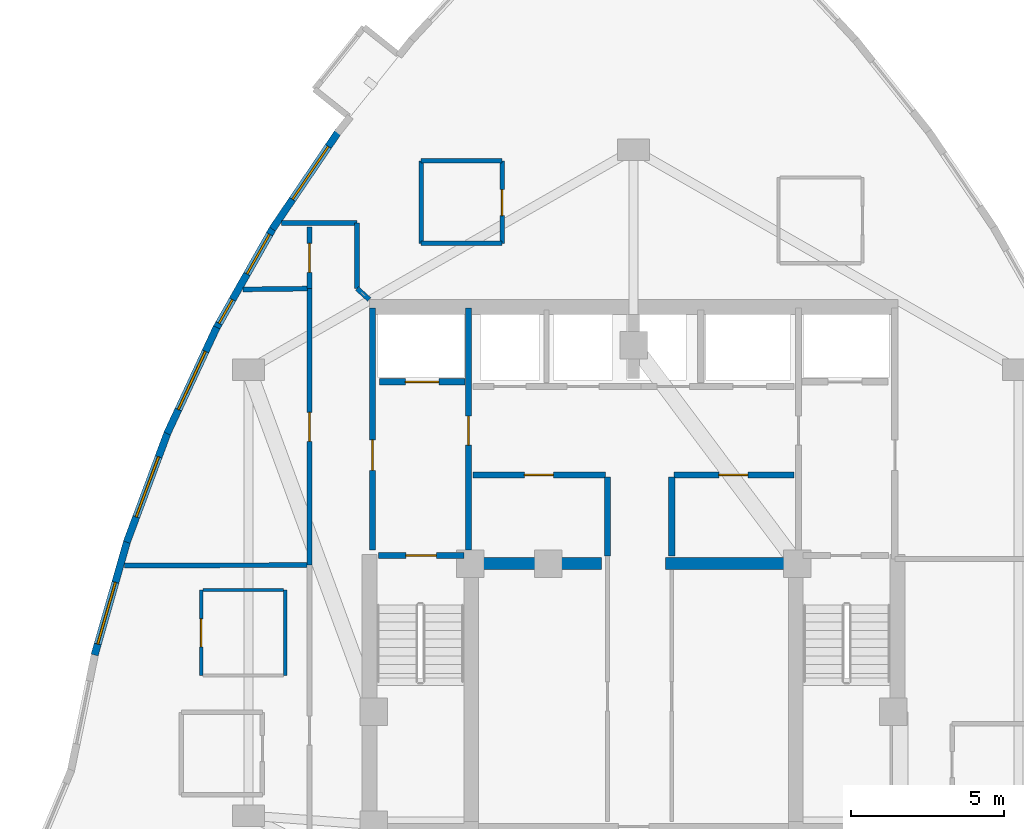
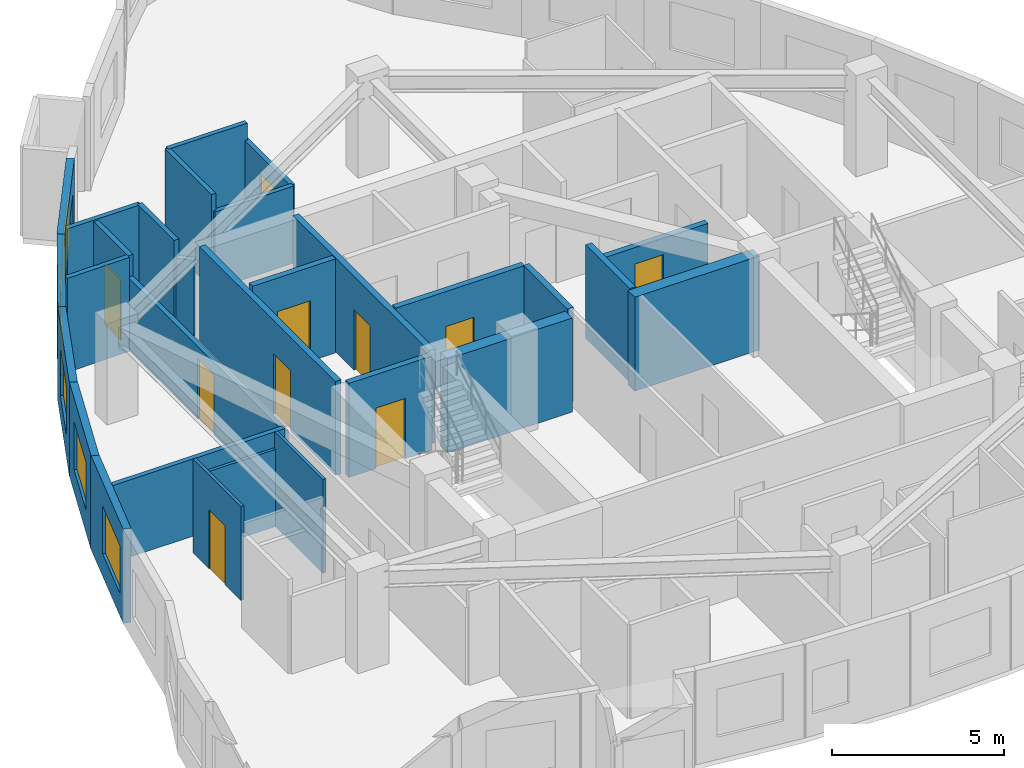
# One storey, part 6 of 10: 29 walls, 10 doors, 6 windows, 16 openings.
"""IFC4 building model written with IfcOpenShell, lengths in metres."""

import ifcopenshell
import ifcopenshell.guid

model = None  # the IFC model being written
_history = None  # IfcOwnerHistory: only IFC2X3 demands one
_inside = {}  # id of a spatial element -> (the spatial element, [elements in it])
_under = {}  # id of a project, library or spatial element -> (it, [spatial elements below it])
_declared = {}  # id of a project -> (the project, [libraries it declares])
_typed = {}  # id of a type object -> (the type object, [elements of that type])
_made_of = {}  # id of a material, layer set ... -> (it, [elements and type objects made of it])


def new_model(schema):
    """Start an empty IFC model of exactly this schema.

    Asked for "IFC4X3", IfcOpenShell would pick the latest addendum, in which some entities
    have other attributes; the version numbers below select the first issue.
    IFC2X3 requires an IfcOwnerHistory on every rooted entity: one is made here for all.
    """
    global model, _history
    if schema == "IFC4X3":
        model = ifcopenshell.file(schema_version=(4, 3, 0, 0))
    else:
        model = ifcopenshell.file(schema=schema)
    _inside.clear()
    _under.clear()
    _declared.clear()
    _typed.clear()
    _made_of.clear()
    _history = None
    if model.schema == "IFC2X3":
        org = make("IfcOrganization", Name="unknown")
        user = make(
            "IfcPersonAndOrganization",
            ThePerson=make("IfcPerson", FamilyName="unknown"),
            TheOrganization=org,
        )
        app = make(
            "IfcApplication",
            ApplicationDeveloper=org,
            Version="unknown",
            ApplicationFullName="unknown",
            ApplicationIdentifier="unknown",
        )
        _history = make(
            "IfcOwnerHistory",
            OwningUser=user,
            OwningApplication=app,
            ChangeAction="ADDED",
            CreationDate=0,
        )
    return model


def make(cls, **values):
    """One entity of the class cls with the attributes given. An attribute that is None is left unset."""
    return model.create_entity(
        cls, **{name: value for name, value in values.items() if value is not None}
    )


def rooted(cls, **values):
    """An entity with a GlobalId (a new one), such as an element, a storey or a relation."""
    return make(cls, GlobalId=ifcopenshell.guid.new(), OwnerHistory=_history, **values)


def si_unit(unit_type, name, prefix=None):
    """IfcSIUnit, for example si_unit("LENGTHUNIT", "METRE", prefix="MILLI")."""
    return make("IfcSIUnit", UnitType=unit_type, Prefix=prefix, Name=name)


def assignment(units):
    """IfcUnitAssignment: the units of a project."""
    return None if units is None else make("IfcUnitAssignment", Units=units)


def point(xyz):
    """IfcCartesianPoint."""
    return None if xyz is None else make("IfcCartesianPoint", Coordinates=xyz)


def direction(xyz):
    """IfcDirection."""
    return None if xyz is None else make("IfcDirection", DirectionRatios=xyz)


def frame(location, z_axis=None, x_axis=None):
    """IfcAxis2Placement3D, a coordinate frame: its origin and axes. An axis left out is left unset."""
    return make(
        "IfcAxis2Placement3D",
        Location=point(location),
        Axis=direction(z_axis),
        RefDirection=direction(x_axis),
    )


def frame_2d(location, x_axis=None):
    """IfcAxis2Placement2D, a coordinate frame in the plane: its origin and x axis."""
    return make(
        "IfcAxis2Placement2D", Location=point(location), RefDirection=direction(x_axis)
    )


def origin():
    """The frame at (0, 0, 0) with its axes left unset."""
    return frame((0.0, 0.0, 0.0))


def place(relative_to, where):
    """IfcLocalPlacement: puts the frame where relative to a parent placement (None: the world)."""
    return make(
        "IfcLocalPlacement", PlacementRelTo=relative_to, RelativePlacement=where
    )


def context(
    kind, dimensions, precision=None, world=None, true_north=None, identifier=None
):
    """IfcGeometricRepresentationContext, for example the 3D "Model" context."""
    return make(
        "IfcGeometricRepresentationContext",
        ContextIdentifier=identifier,
        ContextType=kind,
        CoordinateSpaceDimension=dimensions,
        Precision=precision,
        WorldCoordinateSystem=world,
        TrueNorth=true_north,
    )


def subcontext(parent, identifier, kind, view, scale=None):
    """IfcGeometricRepresentationSubContext, for example "Body" below "Model"."""
    return make(
        "IfcGeometricRepresentationSubContext",
        ContextIdentifier=identifier,
        ContextType=kind,
        ParentContext=parent,
        TargetScale=scale,
        TargetView=view,
    )


def project(units=None, contexts=None):
    """IfcProject with its units and contexts."""
    return rooted(
        "IfcProject",
        Name="project",
        RepresentationContexts=contexts,
        UnitsInContext=assignment(units),
    )


def spatial(cls, under=None, at=None, **own):
    """A site, building, storey or space (cls), placed at a placement, below another one or the project."""
    s = rooted(cls, ObjectPlacement=at, **own)
    if under is not None:
        _under.setdefault(under.id(), (under, []))[1].append(s)
    return s


def profile(cls, at=None, kind="AREA", **sizes):
    """A parametric profile (cls). Its sizes go by their IFC names, for example OverallWidth=200.0."""
    return make(cls, ProfileType=kind, Position=at, **sizes)


def rectangle(**sizes):
    """IfcRectangleProfileDef."""
    return profile("IfcRectangleProfileDef", **sizes)


def extrude(swept, where, along, depth):
    """IfcExtrudedAreaSolid: the profile swept, set in the frame where, extruded along a direction by depth."""
    return make(
        "IfcExtrudedAreaSolid",
        SweptArea=swept,
        Position=where,
        ExtrudedDirection=direction(along),
        Depth=depth,
    )


def shape(context_of_items, identifier, shape_type, items):
    """IfcShapeRepresentation: the items that make up one representation, for example the "Body"."""
    return make(
        "IfcShapeRepresentation",
        ContextOfItems=context_of_items,
        RepresentationIdentifier=identifier,
        RepresentationType=shape_type,
        Items=items,
    )


def material(Name=None, Category=None):
    """IfcMaterial."""
    return make("IfcMaterial", Name=Name, Category=Category)


def layer(
    of_material, thickness, ventilated=None, Name=None, Category=None, Priority=None
):
    """IfcMaterialLayer: one layer of a wall or slab, of a material (None: an air gap)."""
    return make(
        "IfcMaterialLayer",
        Material=of_material,
        LayerThickness=thickness,
        IsVentilated=ventilated,
        Name=Name,
        Category=Category,
        Priority=Priority,
    )


def layer_set(layers, Name=None):
    """IfcMaterialLayerSet."""
    return make("IfcMaterialLayerSet", MaterialLayers=layers, LayerSetName=Name)


def made_of(thing, what):
    """Note that an element or type object is made of a material, layer set ...; save() writes the relation."""
    if what is not None:
        _made_of.setdefault(what.id(), (what, []))[1].append(thing)
    return thing


def type_object(cls, material=None, **own):
    """A type object (cls), such as IfcWallType, which elements share."""
    return made_of(rooted(cls, **own), material)


def element(
    cls,
    number,
    at=None,
    inside=None,
    cuts=None,
    type_object=None,
    material=None,
    context=None,
    identifier="Body",
    shape_type=None,
    held_by="IfcProductDefinitionShape",
    body=None,
    shapes=None,
    **own,
):
    """One element of the class cls, such as IfcWall. Its Tag is "e" and its number.

    at: its placement. inside: the storey or other place that contains it. cuts: it is an
    opening in that element (IfcRelVoidsElement). A single representation is given by context,
    identifier, shape_type and body (its items); several are given by shapes. held_by: the class
    of the entity that holds the representations. save() writes the other relations.
    """
    e = rooted(cls, Tag="e%d" % number, ObjectPlacement=at, **own)
    if body is not None:
        shapes = [shape(context, identifier, shape_type, body)]
    if shapes is not None:
        e.Representation = make(held_by, Representations=shapes)
    if inside is not None:
        _inside.setdefault(inside.id(), (inside, []))[1].append(e)
    if cuts is not None:
        rooted(
            "IfcRelVoidsElement", RelatingBuildingElement=cuts, RelatedOpeningElement=e
        )
    if type_object is not None:
        _typed.setdefault(type_object.id(), (type_object, []))[1].append(e)
    return made_of(e, material)


def fill(opening, filler):
    """IfcRelFillsElement: the door or window that sits in an opening."""
    return rooted(
        "IfcRelFillsElement",
        RelatingOpeningElement=opening,
        RelatedBuildingElement=filler,
    )


def aggregate(whole, parts):
    """IfcRelAggregates: a whole, such as a stair, and the parts it consists of."""
    return rooted("IfcRelAggregates", RelatingObject=whole, RelatedObjects=parts)


def save(model, path):
    """Write the relations noted so far, then the file.

    IfcRelAggregates (storeys below a building ...), IfcRelContainedInSpatialStructure (elements
    in a storey), IfcRelDefinesByType, IfcRelAssociatesMaterial and IfcRelDeclares: one each for
    every whole, place, type object, material and project.
    """
    for whole, parts in _under.values():
        aggregate(whole, parts)
    for where, things in _inside.values():
        rooted(
            "IfcRelContainedInSpatialStructure",
            RelatedElements=things,
            RelatingStructure=where,
        )
    for kind, things in _typed.values():
        rooted("IfcRelDefinesByType", RelatedObjects=things, RelatingType=kind)
    for what, things in _made_of.values():
        rooted("IfcRelAssociatesMaterial", RelatedObjects=things, RelatingMaterial=what)
    for by, libraries in _declared.values():
        rooted("IfcRelDeclares", RelatingContext=by, RelatedDefinitions=libraries)
    model.write(path)


model = new_model("IFC4")

# Units and contexts
model_context = context("Model", 3, precision=1e-05, world=origin(), true_north=direction((0.0, 1.0)))
body_context = subcontext(model_context, "Body", "Model", "MODEL_VIEW")
ifc_project = project(units=[si_unit("LENGTHUNIT", "METRE"), si_unit("AREAUNIT", "SQUARE_METRE"), si_unit("VOLUMEUNIT", "CUBIC_METRE"), si_unit("PLANEANGLEUNIT", "RADIAN"), si_unit("MASSUNIT", "GRAM", prefix="KILO")], contexts=[model_context])

# Site, building, storey
site_placement = place(None, origin())
site = spatial("IfcSite", under=ifc_project, at=site_placement, CompositionType="ELEMENT")
building_placement = place(site_placement, origin())
building = spatial("IfcBuilding", under=site, at=building_placement, Name="Miruveldt Soraemaru", CompositionType="ELEMENT")
storey_placement = place(building_placement, frame((0.0, 0.0, 230.39990234375)))
storey = spatial("IfcBuildingStorey", under=building, at=storey_placement, Name="L63", CompositionType="ELEMENT", Elevation=230.39990234375)

# Walls
ifc_material_1 = material(Name="Concrete C70/85 (70 MPa)", Category="concrete")
ifc_layer_1 = layer(ifc_material_1, 0.5, Name="Concrete C70/85 (70 MPa)", Category="concrete")
ifc_layer_set_1 = layer_set([ifc_layer_1], Name="Concrete C70/85 (70 MPa)")
wall_type_1 = type_object("IfcWallType", Name="WALL-BW-500", PredefinedType="SHEAR", material=ifc_layer_set_1)
for number, where, z_axis, x_axis, name in (
    (1, (38.75, 44.050048828125, 0.0), (0.0, 0.0, 1.0), (1.0, 0.0, 0.0), "L63 Core Buttress Shear Wall BW"),
    (2, (45.050048828125, 44.050048828125, 0.0), (0.0, 0.0, 1.0), (1.0, 0.0, 0.0), "L63 Core Buttress Shear Wall BE"),
):
    element("IfcWall", number, at=place(storey_placement, frame(where, z_axis=z_axis, x_axis=x_axis)), inside=storey, type_object=wall_type_1, Name=name, PredefinedType="SHEAR", context=body_context, shape_type="SweptSolid", body=[
        extrude(rectangle(XDim=4.199951171875, YDim=0.39990234375, at=frame_2d((2.10009765625, 0.0))), origin(), (0.0, 0.0, 1.0), 3.34521484375),
    ])

# Wall, opening, window
ifc_material_2 = material(Name="Precast concrete C45/55 (45 MPa)", Category="concrete")
ifc_layer_2 = layer(ifc_material_2, 0.239990234375, Name="Precast concrete C45/55 (45 MPa)", Category="concrete")
ifc_layer_set_2 = layer_set([ifc_layer_2], Name="Precast concrete C45/55 (45 MPa)")
wall_type_2 = type_object("IfcWallType", Name="WALL-EXT-PC240", PredefinedType="SOLIDWALL", material=ifc_layer_set_2)
wall_1_placement = place(storey_placement, frame((34.34521484375, 58.197021484375, 0.0), z_axis=(0.0, 0.0, 1.0), x_axis=(-0.560856532865, -0.827913008439, 0.0)))
wall_1 = element("IfcWall", 3, at=wall_1_placement, inside=storey, type_object=wall_type_2, Name="L63 Precast Concrete Facade Wall 9", PredefinedType="SOLIDWALL", context=body_context, shape_type="SweptSolid", body=[
    extrude(rectangle(XDim=3.861572265625, YDim=0.239990234375, at=frame_2d((1.9306640625, 0.0))), origin(), (0.0, 0.0, 1.0), 3.34521484375),
])
opening_1_placement = place(wall_1_placement, frame((0.593994140625, 0.0, 0.800048828125)))
opening_1 = element("IfcOpeningElement", 4, at=opening_1_placement, cuts=wall_1, Name="Opening WN-1", PredefinedType="OPENING", context=body_context, shape_type="SweptSolid", body=[
    extrude(rectangle(XDim=2.10009765625, YDim=1.699951171875, at=frame_2d((1.050048828125, 0.85009765625))), frame((0.0, 0.1298828125, 0.0), z_axis=(0.0, -1.0, 0.0), x_axis=(1.0, 0.0, 0.0)), (0.0, 0.0, 1.0), 0.260009765625),
])
ifc_material_3 = material(Name="Triple low-e insulated glazing", Category="glass")
window_type_1 = type_object("IfcWindowType", Name="WIN-PUNCH-2100x1700", PartitioningType="SINGLE_PANEL", PredefinedType="WINDOW", material=ifc_material_3)
window_1_placement = place(opening_1_placement, origin())
window_1 = element("IfcWindow", 5, at=window_1_placement, inside=storey, type_object=window_type_1, Name="L63 Punched Triple-Glazed Window 09.1", OverallHeight=1.699951171875, OverallWidth=2.10009765625, PartitioningType="SINGLE_PANEL", PredefinedType="WINDOW", context=body_context, shape_type="SweptSolid", body=[
    extrude(rectangle(XDim=2.10009765625, YDim=1.699951171875, at=frame_2d((1.050048828125, 0.85009765625))), frame((0.0, 0.030029296875, 0.0), z_axis=(0.0, -1.0, 0.0), x_axis=(1.0, 0.0, 0.0)), (0.0, 0.0, 1.0), 0.06005859375),
])
fill(opening_1, window_1)

# Wall, openings, windows
wall_2_placement = place(storey_placement, frame((32.21630859375, 55.059326171875, 0.0), z_axis=(0.0, 0.0, 1.0), x_axis=(-0.493375309214, -0.869816534826, 0.0)))
wall_2 = element("IfcWall", 6, at=wall_2_placement, inside=storey, type_object=wall_type_2, Name="L63 Precast Concrete Facade Wall 10", PredefinedType="SOLIDWALL", context=body_context, shape_type="SweptSolid", body=[
    extrude(rectangle(XDim=3.83740234375, YDim=0.239990234375, at=frame_2d((1.918701171875, 0.0))), origin(), (0.0, 0.0, 1.0), 3.34521484375),
])
opening_2_placement = place(wall_2_placement, frame((0.261962890625, 0.0, 0.800048828125)))
opening_2 = element("IfcOpeningElement", 7, at=opening_2_placement, cuts=wall_2, Name="Opening WN-3", PredefinedType="OPENING", context=body_context, shape_type="SweptSolid", body=[
    extrude(rectangle(XDim=1.5, YDim=1.60009765625, at=frame_2d((0.75, 0.800048828125))), frame((0.0, 0.1298828125, 0.0), z_axis=(0.0, -1.0, 0.0), x_axis=(1.0, 0.0, 0.0)), (0.0, 0.0, 1.0), 0.260009765625),
])
opening_3_placement = place(wall_2_placement, frame((2.719970703125, 0.0, 0.780029296875)))
opening_3 = element("IfcOpeningElement", 8, at=opening_3_placement, cuts=wall_2, Name="Opening WN-7", PredefinedType="OPENING", context=body_context, shape_type="SweptSolid", body=[
    extrude(rectangle(XDim=0.89990234375, YDim=1.5, at=frame_2d((0.449951171875, 0.75))), frame((0.0, 0.1298828125, 0.0), z_axis=(0.0, -1.0, 0.0), x_axis=(1.0, 0.0, 0.0)), (0.0, 0.0, 1.0), 0.260009765625),
])
window_type_2 = type_object("IfcWindowType", Name="WIN-PUNCH-1500x1600", PartitioningType="SINGLE_PANEL", PredefinedType="WINDOW", material=ifc_material_3)
window_2_placement = place(opening_2_placement, origin())
window_2 = element("IfcWindow", 9, at=window_2_placement, inside=storey, type_object=window_type_2, Name="L63 Punched Triple-Glazed Window 10.1", OverallHeight=1.60009765625, OverallWidth=1.5, PartitioningType="SINGLE_PANEL", PredefinedType="WINDOW", context=body_context, shape_type="SweptSolid", body=[
    extrude(rectangle(XDim=1.5, YDim=1.60009765625, at=frame_2d((0.75, 0.800048828125))), frame((0.0, 0.030029296875, 0.0), z_axis=(0.0, -1.0, 0.0), x_axis=(1.0, 0.0, 0.0)), (0.0, 0.0, 1.0), 0.06005859375),
])
fill(opening_2, window_2)
window_type_3 = type_object("IfcWindowType", Name="WIN-PUNCH-900x1500", PartitioningType="SINGLE_PANEL", PredefinedType="WINDOW", material=ifc_material_3)
window_3_placement = place(opening_3_placement, origin())
window_3 = element("IfcWindow", 10, at=window_3_placement, inside=storey, type_object=window_type_3, Name="L63 Punched Triple-Glazed Window 10.2", OverallHeight=1.5, OverallWidth=0.89990234375, PartitioningType="SINGLE_PANEL", PredefinedType="WINDOW", context=body_context, shape_type="SweptSolid", body=[
    extrude(rectangle(XDim=0.89990234375, YDim=1.5, at=frame_2d((0.449951171875, 0.75))), frame((0.0, 0.030029296875, 0.0), z_axis=(0.0, -1.0, 0.0), x_axis=(1.0, 0.0, 0.0)), (0.0, 0.0, 1.0), 0.06005859375),
])
fill(opening_3, window_3)

# Wall, opening, window
wall_3_placement = place(storey_placement, frame((30.355224609375, 51.78369140625, 0.0), z_axis=(0.0, 0.0, 1.0), x_axis=(-0.422307229898, -0.906452758601, 0.0)))
wall_3 = element("IfcWall", 11, at=wall_3_placement, inside=storey, type_object=wall_type_2, Name="L63 Precast Concrete Facade Wall 11", PredefinedType="SOLIDWALL", context=body_context, shape_type="SweptSolid", body=[
    extrude(rectangle(XDim=3.83740234375, YDim=0.239990234375, at=frame_2d((1.918701171875, 0.0))), origin(), (0.0, 0.0, 1.0), 3.34521484375),
])
opening_4_placement = place(wall_3_placement, frame((0.868896484375, 0.0, 0.800048828125)))
opening_4 = element("IfcOpeningElement", 12, at=opening_4_placement, cuts=wall_3, Name="Opening WN-1", PredefinedType="OPENING", context=body_context, shape_type="SweptSolid", body=[
    extrude(rectangle(XDim=2.10009765625, YDim=1.699951171875, at=frame_2d((1.050048828125, 0.85009765625))), frame((0.0, 0.1298828125, 0.0), z_axis=(0.0, -1.0, 0.0), x_axis=(1.0, 0.0, 0.0)), (0.0, 0.0, 1.0), 0.260009765625),
])
window_4_placement = place(opening_4_placement, origin())
window_4 = element("IfcWindow", 13, at=window_4_placement, inside=storey, type_object=window_type_1, Name="L63 Punched Triple-Glazed Window 11.1", OverallHeight=1.699951171875, OverallWidth=2.10009765625, PartitioningType="SINGLE_PANEL", PredefinedType="WINDOW", context=body_context, shape_type="SweptSolid", body=[
    extrude(rectangle(XDim=2.10009765625, YDim=1.699951171875, at=frame_2d((1.050048828125, 0.85009765625))), frame((0.0, 0.030029296875, 0.0), z_axis=(0.0, -1.0, 0.0), x_axis=(1.0, 0.0, 0.0)), (0.0, 0.0, 1.0), 0.06005859375),
])
fill(opening_4, window_4)

wall_4_placement = place(storey_placement, frame((28.76171875, 48.36962890625, 0.0), z_axis=(0.0, 0.0, 1.0), x_axis=(-0.34907854063, -0.937093470509, 0.0)))
wall_4 = element("IfcWall", 14, at=wall_4_placement, inside=storey, type_object=wall_type_2, Name="L63 Precast Concrete Facade Wall 12", PredefinedType="SOLIDWALL", context=body_context, shape_type="SweptSolid", body=[
    extrude(rectangle(XDim=3.861328125, YDim=0.239990234375, at=frame_2d((1.9306640625, 0.0))), origin(), (0.0, 0.0, 1.0), 3.34521484375),
])
opening_5_placement = place(wall_4_placement, frame((0.881103515625, 0.0, 0.800048828125)))
opening_5 = element("IfcOpeningElement", 15, at=opening_5_placement, cuts=wall_4, Name="Opening WN-1", PredefinedType="OPENING", context=body_context, shape_type="SweptSolid", body=[
    extrude(rectangle(XDim=2.10009765625, YDim=1.699951171875, at=frame_2d((1.050048828125, 0.85009765625))), frame((0.0, 0.1298828125, 0.0), z_axis=(0.0, -1.0, 0.0), x_axis=(1.0, 0.0, 0.0)), (0.0, 0.0, 1.0), 0.260009765625),
])
window_5_placement = place(opening_5_placement, origin())
window_5 = element("IfcWindow", 16, at=window_5_placement, inside=storey, type_object=window_type_1, Name="L63 Punched Triple-Glazed Window 12.1", OverallHeight=1.699951171875, OverallWidth=2.10009765625, PartitioningType="SINGLE_PANEL", PredefinedType="WINDOW", context=body_context, shape_type="SweptSolid", body=[
    extrude(rectangle(XDim=2.10009765625, YDim=1.699951171875, at=frame_2d((1.050048828125, 0.85009765625))), frame((0.0, 0.030029296875, 0.0), z_axis=(0.0, -1.0, 0.0), x_axis=(1.0, 0.0, 0.0)), (0.0, 0.0, 1.0), 0.06005859375),
])
fill(opening_5, window_5)

wall_5_placement = place(storey_placement, frame((27.435791015625, 44.817626953125, 0.0), z_axis=(0.0, 0.0, 1.0), x_axis=(-0.274976818497, -0.961450856409, 0.0)))
wall_5 = element("IfcWall", 17, at=wall_5_placement, inside=storey, type_object=wall_type_2, Name="L63 Precast Concrete Facade Wall 13", PredefinedType="SOLIDWALL", context=body_context, shape_type="SweptSolid", body=[
    extrude(rectangle(XDim=3.9091796875, YDim=0.239990234375, at=frame_2d((1.95458984375, 0.0))), origin(), (0.0, 0.0, 1.0), 3.34521484375),
])
opening_6_placement = place(wall_5_placement, frame((1.43701171875, 0.0, 0.800048828125)))
opening_6 = element("IfcOpeningElement", 18, at=opening_6_placement, cuts=wall_5, Name="Opening WN-1", PredefinedType="OPENING", context=body_context, shape_type="SweptSolid", body=[
    extrude(rectangle(XDim=2.10009765625, YDim=1.699951171875, at=frame_2d((1.050048828125, 0.85009765625))), frame((0.0, 0.1298828125, 0.0), z_axis=(0.0, -1.0, 0.0), x_axis=(1.0, 0.0, 0.0)), (0.0, 0.0, 1.0), 0.260009765625),
])
window_6_placement = place(opening_6_placement, origin())
window_6 = element("IfcWindow", 19, at=window_6_placement, inside=storey, type_object=window_type_1, Name="L63 Punched Triple-Glazed Window 13.1", OverallHeight=1.699951171875, OverallWidth=2.10009765625, PartitioningType="SINGLE_PANEL", PredefinedType="WINDOW", context=body_context, shape_type="SweptSolid", body=[
    extrude(rectangle(XDim=2.10009765625, YDim=1.699951171875, at=frame_2d((1.050048828125, 0.85009765625))), frame((0.0, 0.030029296875, 0.0), z_axis=(0.0, -1.0, 0.0), x_axis=(1.0, 0.0, 0.0)), (0.0, 0.0, 1.0), 0.06005859375),
])
fill(opening_6, window_6)

# Wall, opening, door
ifc_material_4 = material(Name="Gypsum plasterboard lining", Category="gypsum")
ifc_layer_3 = layer(ifc_material_4, 0.10009765625, Name="Gypsum plasterboard lining", Category="gypsum")
ifc_layer_set_3 = layer_set([ifc_layer_3], Name="Gypsum plasterboard lining")
wall_type_3 = type_object("IfcWallType", Name="WALL-INT-P100", PredefinedType="PARTITIONING", material=ifc_layer_set_3)
wall_6_placement = place(storey_placement, frame((29.85009765625, 43.179931640625, 0.0), z_axis=(0.0, 0.0, 1.0), x_axis=(0.0, -1.0, 0.0)))
wall_6 = element("IfcWall", 20, at=wall_6_placement, inside=storey, type_object=wall_type_3, Name="L63 Partition Wall 30", PredefinedType="PARTITIONING", context=body_context, shape_type="SweptSolid", body=[
    extrude(rectangle(XDim=2.800048828125, YDim=0.10009765625, at=frame_2d((1.39990234375, 0.0))), origin(), (0.0, 0.0, 1.0), 3.34521484375),
])
opening_7_placement = place(wall_6_placement, frame((0.93994140625, 0.0, 0.0)))
opening_7 = element("IfcOpeningElement", 21, at=opening_7_placement, cuts=wall_6, Name="Opening D3A", PredefinedType="OPENING", context=body_context, shape_type="SweptSolid", body=[
    extrude(rectangle(XDim=0.919921875, YDim=2.10009765625, at=frame_2d((0.4599609375, 1.050048828125))), frame((0.0, 0.06005859375, 0.0), z_axis=(0.0, -1.0, 0.0), x_axis=(1.0, 0.0, 0.0)), (0.0, 0.0, 1.0), 0.1201171875),
])
ifc_material_5 = material(Name="Anodised aluminium EN AW-6063 T6", Category="aluminium")
door_type_1 = type_object("IfcDoorType", Name="DOOR-INT-920", OperationType="NOTDEFINED", PredefinedType="DOOR", material=ifc_material_5)
door_1_placement = place(opening_7_placement, origin())
door_1 = element("IfcDoor", 22, at=door_1_placement, inside=storey, type_object=door_type_1, Name="L63 Unit 6303 KIT Door", OperationType="SINGLE_SWING_LEFT", OverallHeight=2.10009765625, OverallWidth=0.919921875, PredefinedType="DOOR", context=body_context, shape_type="SweptSolid", body=[
    extrude(rectangle(XDim=0.919921875, YDim=2.10009765625, at=frame_2d((0.4599609375, 1.050048828125))), frame((0.0, 0.02490234375, 0.0), z_axis=(0.0, -1.0, 0.0), x_axis=(1.0, 0.0, 0.0)), (0.0, 0.0, 1.0), 0.050048828125),
])
fill(opening_7, door_1)

# Walls
wall_7_placement = place(storey_placement, frame((32.60009765625, 40.3798828125, 0.0), z_axis=(0.0, 0.0, 1.0), x_axis=(0.0, 1.0, 0.0)))
element("IfcWall", 23, at=wall_7_placement, inside=storey, type_object=wall_type_3, Name="L63 Partition Wall 28", PredefinedType="PARTITIONING", context=body_context, shape_type="SweptSolid", body=[
    extrude(rectangle(XDim=2.800048828125, YDim=0.10009765625, at=frame_2d((1.39990234375, 0.0))), origin(), (0.0, 0.0, 1.0), 3.34521484375),
])
wall_8_placement = place(storey_placement, frame((32.550048828125, 43.179931640625, 0.0), z_axis=(0.0, 0.0, 1.0), x_axis=(-1.0, 0.0, 0.0)))
element("IfcWall", 24, at=wall_8_placement, inside=storey, type_object=wall_type_3, Name="L63 Partition Wall 29", PredefinedType="PARTITIONING", context=body_context, shape_type="SweptSolid", body=[
    extrude(rectangle(XDim=2.650146484375, YDim=0.10009765625, at=frame_2d((1.3251953125, 0.0))), origin(), (0.0, 0.0, 1.0), 2.7451171875),
])

# Wall, opening, door
ifc_layer_4 = layer(ifc_material_4, 0.14990234375, Name="Gypsum plasterboard lining", Category="gypsum")
ifc_layer_set_4 = layer_set([ifc_layer_4], Name="Gypsum plasterboard lining")
wall_type_4 = type_object("IfcWallType", Name="WALL-INT-PLUMB", PredefinedType="PLUMBINGWALL", material=ifc_layer_set_4)
wall_9_placement = place(storey_placement, frame((39.696044921875, 54.530029296875, 0.0), z_axis=(0.0, 0.0, 1.0), x_axis=(0.0, 1.0, 0.0)))
wall_9 = element("IfcWall", 25, at=wall_9_placement, inside=storey, type_object=wall_type_4, Name="L63 Partition Wall 13", PredefinedType="PLUMBINGWALL", context=body_context, shape_type="SweptSolid", body=[
    extrude(rectangle(XDim=2.699951171875, YDim=0.14990234375, at=frame_2d((1.35009765625, 0.0))), origin(), (0.0, 0.0, 1.0), 2.7451171875),
])
opening_8_placement = place(wall_9_placement, frame((0.909912109375, 0.0, 0.0)))
opening_8 = element("IfcOpeningElement", 26, at=opening_8_placement, cuts=wall_9, Name="Opening FD3", PredefinedType="OPENING", context=body_context, shape_type="SweptSolid", body=[
    extrude(rectangle(XDim=0.85009765625, YDim=2.10009765625, at=frame_2d((0.425048828125, 1.050048828125))), frame((0.0, 0.0849609375, 0.0), z_axis=(0.0, -1.0, 0.0), x_axis=(1.0, 0.0, 0.0)), (0.0, 0.0, 1.0), 0.169921875),
])
door_type_2 = type_object("IfcDoorType", Name="DOOR-FD3-850", OperationType="NOTDEFINED", PredefinedType="DOOR", material=ifc_material_5)
door_2_placement = place(opening_8_placement, origin())
door_2 = element("IfcDoor", 27, at=door_2_placement, inside=storey, type_object=door_type_2, Name="L63 Unit CL01 BTH Door", OperationType="SINGLE_SWING_RIGHT", OverallHeight=2.10009765625, OverallWidth=0.85009765625, PredefinedType="DOOR", context=body_context, shape_type="SweptSolid", body=[
    extrude(rectangle(XDim=0.85009765625, YDim=2.10009765625, at=frame_2d((0.425048828125, 1.050048828125))), frame((0.0, 0.02490234375, 0.0), z_axis=(0.0, -1.0, 0.0), x_axis=(1.0, 0.0, 0.0)), (0.0, 0.0, 1.0), 0.050048828125),
])
fill(opening_8, door_2)

# Walls
wall_10_placement = place(storey_placement, frame((37.0458984375, 57.22998046875, 0.0), z_axis=(0.0, 0.0, 1.0), x_axis=(0.0, -1.0, 0.0)))
element("IfcWall", 28, at=wall_10_placement, inside=storey, type_object=wall_type_4, Name="L63 Partition Wall 15", PredefinedType="PLUMBINGWALL", context=body_context, shape_type="SweptSolid", body=[
    extrude(rectangle(XDim=2.699951171875, YDim=0.14990234375, at=frame_2d((1.35009765625, 0.0))), origin(), (0.0, 0.0, 1.0), 3.34521484375),
])
wall_11_placement = place(storey_placement, frame((39.696044921875, 57.22998046875, 0.0), z_axis=(0.0, 0.0, 1.0), x_axis=(-1.0, 0.0, 0.0)))
element("IfcWall", 29, at=wall_11_placement, inside=storey, type_object=wall_type_4, Name="L63 Partition Wall 14", PredefinedType="PLUMBINGWALL", context=body_context, shape_type="SweptSolid", body=[
    extrude(rectangle(XDim=2.650146484375, YDim=0.14990234375, at=frame_2d((1.3251953125, 0.0))), origin(), (0.0, 0.0, 1.0), 3.34521484375),
])
wall_12_placement = place(storey_placement, frame((37.0458984375, 54.530029296875, 0.0), z_axis=(0.0, 0.0, 1.0), x_axis=(1.0, 0.0, 0.0)))
element("IfcWall", 30, at=wall_12_placement, inside=storey, type_object=wall_type_4, Name="L63 Partition Wall 16", PredefinedType="PLUMBINGWALL", context=body_context, shape_type="SweptSolid", body=[
    extrude(rectangle(XDim=2.650146484375, YDim=0.14990234375, at=frame_2d((1.3251953125, 0.0))), origin(), (0.0, 0.0, 1.0), 2.7451171875),
])

# Wall, opening, door
ifc_material_6 = material(Name="Concrete C40/50 (40 MPa)", Category="concrete")
ifc_layer_5 = layer(ifc_material_6, 0.159912109375, Name="Concrete C40/50 (40 MPa)", Category="concrete")
ifc_layer_set_5 = layer_set([ifc_layer_5], Name="Concrete C40/50 (40 MPa)")
wall_type_5 = type_object("IfcWallType", Name="WALL-INT-RC160", PredefinedType="SOLIDWALL", material=ifc_layer_set_5)
wall_13_placement = place(storey_placement, frame((33.39990234375, 53.050048828125, 0.0), z_axis=(0.0, 0.0, 1.0), x_axis=(0.0, -1.0, 0.0)))
wall_13 = element("IfcWall", 31, at=wall_13_placement, inside=storey, type_object=wall_type_5, Name="L63 Partition Wall 4", PredefinedType="SOLIDWALL", context=body_context, shape_type="SweptSolid", body=[
    extrude(rectangle(XDim=9.050048828125, YDim=0.159912109375, at=frame_2d((4.52490234375, 0.0))), origin(), (0.0, 0.0, 1.0), 2.5830078125),
])
opening_9_placement = place(wall_13_placement, frame((4.050048828125, 0.0, 0.0)))
opening_9 = element("IfcOpeningElement", 32, at=opening_9_placement, cuts=wall_13, Name="Opening FD2", PredefinedType="OPENING", context=body_context, shape_type="SweptSolid", body=[
    extrude(rectangle(XDim=0.949951171875, YDim=2.14990234375, at=frame_2d((0.47509765625, 1.074951171875))), frame((0.0, 0.08984375, 0.0), z_axis=(0.0, -1.0, 0.0), x_axis=(1.0, 0.0, 0.0)), (0.0, 0.0, 1.0), 0.179931640625),
])
door_type_3 = type_object("IfcDoorType", Name="DOOR-FD2-950", OperationType="NOTDEFINED", PredefinedType="DOOR", material=ifc_material_5)
door_3_placement = place(opening_9_placement, origin())
door_3 = element("IfcDoor", 33, at=door_3_placement, inside=storey, type_object=door_type_3, Name="L63 Unit CL02 Entrance Fire Door", OperationType="SINGLE_SWING_RIGHT", OverallHeight=2.14990234375, OverallWidth=0.949951171875, PredefinedType="DOOR", context=body_context, shape_type="SweptSolid", body=[
    extrude(rectangle(XDim=0.949951171875, YDim=2.14990234375, at=frame_2d((0.47509765625, 1.074951171875))), frame((0.0, 0.02490234375, 0.0), z_axis=(0.0, -1.0, 0.0), x_axis=(1.0, 0.0, 0.0)), (0.0, 0.0, 1.0), 0.050048828125),
])
fill(opening_9, door_3)

wall_14_placement = place(storey_placement, frame((33.39990234375, 55.06005859375, 0.0), z_axis=(0.0, 0.0, 1.0), x_axis=(0.0, -1.0, 0.0)))
wall_14 = element("IfcWall", 34, at=wall_14_placement, inside=storey, type_object=wall_type_5, Name="L63 Partition Wall 3", PredefinedType="SOLIDWALL", context=body_context, shape_type="SweptSolid", body=[
    extrude(rectangle(XDim=2.007080078125, YDim=0.159912109375, at=frame_2d((1.00341796875, 0.0))), origin(), (0.0, 0.0, 1.0), 3.34521484375),
])
opening_10_placement = place(wall_14_placement, frame((0.529052734375, 0.0, 0.0)))
opening_10 = element("IfcOpeningElement", 35, at=opening_10_placement, cuts=wall_14, Name="Opening FD2", PredefinedType="OPENING", context=body_context, shape_type="SweptSolid", body=[
    extrude(rectangle(XDim=0.949951171875, YDim=2.14990234375, at=frame_2d((0.47509765625, 1.074951171875))), frame((0.0, 0.08984375, 0.0), z_axis=(0.0, -1.0, 0.0), x_axis=(1.0, 0.0, 0.0)), (0.0, 0.0, 1.0), 0.179931640625),
])
door_4_placement = place(opening_10_placement, origin())
door_4 = element("IfcDoor", 36, at=door_4_placement, inside=storey, type_object=door_type_3, Name="L63 Unit CL01 Entrance Fire Door", OperationType="SINGLE_SWING_LEFT", OverallHeight=2.14990234375, OverallWidth=0.949951171875, PredefinedType="DOOR", context=body_context, shape_type="SweptSolid", body=[
    extrude(rectangle(XDim=0.949951171875, YDim=2.14990234375, at=frame_2d((0.47509765625, 1.074951171875))), frame((0.0, 0.02490234375, 0.0), z_axis=(0.0, -1.0, 0.0), x_axis=(1.0, 0.0, 0.0)), (0.0, 0.0, 1.0), 0.050048828125),
])
fill(opening_10, door_4)

# Walls
wall_15_placement = place(storey_placement, frame((27.337890625, 43.986083984375, 0.0), z_axis=(0.0, 0.0, 1.0), x_axis=(0.999997290543, 0.002327854511, 0.0)))
element("IfcWall", 37, at=wall_15_placement, inside=storey, type_object=wall_type_5, Name="L63 Partition Wall 23", PredefinedType="SOLIDWALL", context=body_context, shape_type="SweptSolid", body=[
    extrude(rectangle(XDim=5.97802734375, YDim=0.159912109375, at=frame_2d((2.989013671875, 0.0))), origin(), (0.0, 0.0, 1.0), 2.7451171875),
])
wall_16_placement = place(storey_placement, frame((34.949951171875, 55.199951171875, 0.0), z_axis=(0.0, 0.0, 1.0), x_axis=(-1.0, 0.0, 0.0)))
element("IfcWall", 38, at=wall_16_placement, inside=storey, type_object=wall_type_5, Name="L63 Partition Wall 2", PredefinedType="SOLIDWALL", context=body_context, shape_type="SweptSolid", body=[
    extrude(rectangle(XDim=2.471923828125, YDim=0.159912109375, at=frame_2d((1.23583984375, 0.0))), origin(), (0.0, 0.0, 1.0), 3.34521484375),
])
wall_17_placement = place(storey_placement, frame((34.949951171875, 53.054931640625, 0.0), z_axis=(0.0, 0.0, 1.0), x_axis=(0.0, 1.0, 0.0)))
element("IfcWall", 39, at=wall_17_placement, inside=storey, type_object=wall_type_5, Name="L63 Partition Wall 1", PredefinedType="SOLIDWALL", context=body_context, shape_type="SweptSolid", body=[
    extrude(rectangle(XDim=2.14501953125, YDim=0.159912109375, at=frame_2d((1.072509765625, 0.0))), origin(), (0.0, 0.0, 1.0), 3.34521484375),
])
wall_18_placement = place(storey_placement, frame((31.217041015625, 53.02294921875, 0.0), z_axis=(0.0, 0.0, 1.0), x_axis=(0.999922860367, 0.012420680991, 0.0)))
element("IfcWall", 40, at=wall_18_placement, inside=storey, type_object=wall_type_5, Name="L63 Partition Wall 21", PredefinedType="SOLIDWALL", context=body_context, shape_type="SweptSolid", body=[
    extrude(rectangle(XDim=2.103271484375, YDim=0.159912109375, at=frame_2d((1.0517578125, 0.0))), origin(), (0.0, 0.0, 1.0), 3.34521484375),
])
wall_19_placement = place(storey_placement, frame((34.949951171875, 53.054931640625, 0.0), z_axis=(0.0, 0.0, 1.0), x_axis=(0.738817210736, -0.673905875565, 0.0)))
element("IfcWall", 41, at=wall_19_placement, inside=storey, type_object=wall_type_5, Name="L63 Partition Closure Return 1", PredefinedType="SOLIDWALL", context=body_context, shape_type="SweptSolid", body=[
    extrude(rectangle(XDim=0.54150390625, YDim=0.159912109375, at=frame_2d((0.270751953125, 0.0))), origin(), (0.0, 0.0, 1.0), 2.7451171875),
])

# Wall, opening, door
ifc_layer_6 = layer(ifc_material_6, 0.199951171875, Name="Concrete C40/50 (40 MPa)", Category="concrete")
ifc_layer_set_6 = layer_set([ifc_layer_6], Name="Concrete C40/50 (40 MPa)")
wall_type_6 = type_object("IfcWallType", Name="WALL-INT-RC200", PredefinedType="SOLIDWALL", material=ifc_layer_set_6)
wall_20_placement = place(storey_placement, frame((35.449951171875, 44.5, 0.0), z_axis=(0.0, 0.0, 1.0), x_axis=(0.0, 1.0, 0.0)))
wall_20 = element("IfcWall", 42, at=wall_20_placement, inside=storey, type_object=wall_type_6, Name="L63 Core Compartment Wall FFW-OUT", PredefinedType="SOLIDWALL", context=body_context, shape_type="SweptSolid", body=[
    extrude(rectangle(XDim=7.919921875, YDim=0.199951171875, at=frame_2d((3.9599609375, 0.0))), origin(), (0.0, 0.0, 1.0), 3.34521484375),
])
opening_11_placement = place(wall_20_placement, frame((2.60009765625, 0.0, 0.0)))
opening_11 = element("IfcOpeningElement", 43, at=opening_11_placement, cuts=wall_20, Name="Opening FD1", PredefinedType="OPENING", context=body_context, shape_type="SweptSolid", body=[
    extrude(rectangle(XDim=1.0, YDim=2.14990234375, at=frame_2d((0.5, 1.074951171875))), frame((0.0, 0.10986328125, 0.0), z_axis=(0.0, -1.0, 0.0), x_axis=(1.0, 0.0, 0.0)), (0.0, 0.0, 1.0), 0.219970703125),
])
door_type_4 = type_object("IfcDoorType", Name="DOOR-FD1-1000", OperationType="NOTDEFINED", PredefinedType="DOOR", material=ifc_material_5)
door_5_placement = place(opening_11_placement, origin())
door_5 = element("IfcDoor", 44, at=door_5_placement, inside=storey, type_object=door_type_4, Name="L63 West Firefighting Lobby Exit Door", OperationType="SINGLE_SWING_LEFT", OverallHeight=2.14990234375, OverallWidth=1.0, PredefinedType="DOOR", context=body_context, shape_type="SweptSolid", body=[
    extrude(rectangle(XDim=1.0, YDim=2.14990234375, at=frame_2d((0.5, 1.074951171875))), frame((0.0, 0.02490234375, 0.0), z_axis=(0.0, -1.0, 0.0), x_axis=(1.0, 0.0, 0.0)), (0.0, 0.0, 1.0), 0.050048828125),
])
fill(opening_11, door_5)

wall_21_placement = place(storey_placement, frame((38.60009765625, 44.5, 0.0), z_axis=(0.0, 0.0, 1.0), x_axis=(0.0, 1.0, 0.0)))
wall_21 = element("IfcWall", 45, at=wall_21_placement, inside=storey, type_object=wall_type_6, Name="L63 Core Compartment Wall FFW-IN", PredefinedType="SOLIDWALL", context=body_context, shape_type="SweptSolid", body=[
    extrude(rectangle(XDim=7.919921875, YDim=0.199951171875, at=frame_2d((3.9599609375, 0.0))), origin(), (0.0, 0.0, 1.0), 3.34521484375),
])
opening_12_placement = place(wall_21_placement, frame((3.425048828125, 0.0, 0.0)))
opening_12 = element("IfcOpeningElement", 46, at=opening_12_placement, cuts=wall_21, Name="Opening FD2", PredefinedType="OPENING", context=body_context, shape_type="SweptSolid", body=[
    extrude(rectangle(XDim=0.949951171875, YDim=2.14990234375, at=frame_2d((0.47509765625, 1.074951171875))), frame((0.0, 0.10986328125, 0.0), z_axis=(0.0, -1.0, 0.0), x_axis=(1.0, 0.0, 0.0)), (0.0, 0.0, 1.0), 0.219970703125),
])
door_6_placement = place(opening_12_placement, frame((0.949951171875, 0.0, 0.0), z_axis=(0.0, 0.0, 1.0), x_axis=(-1.0, 0.0, 0.0)))
door_6 = element("IfcDoor", 47, at=door_6_placement, inside=storey, type_object=door_type_3, Name="L63 Lift Lobby to West Fire Lobby Door", OperationType="SINGLE_SWING_RIGHT", OverallHeight=2.14990234375, OverallWidth=0.949951171875, PredefinedType="DOOR", context=body_context, shape_type="SweptSolid", body=[
    extrude(rectangle(XDim=0.949951171875, YDim=2.14990234375, at=frame_2d((0.47509765625, 1.074951171875))), frame((0.0, 0.02490234375, 0.0), z_axis=(0.0, -1.0, 0.0), x_axis=(1.0, 0.0, 0.0)), (0.0, 0.0, 1.0), 0.050048828125),
])
fill(opening_12, door_6)

wall_22_placement = place(storey_placement, frame((38.75, 46.949951171875, 0.0), z_axis=(0.0, 0.0, 1.0), x_axis=(1.0, 0.0, 0.0)))
wall_22 = element("IfcWall", 48, at=wall_22_placement, inside=storey, type_object=wall_type_6, Name="L63 Core Compartment Wall MBW-N", PredefinedType="SOLIDWALL", context=body_context, shape_type="SweptSolid", body=[
    extrude(rectangle(XDim=4.330078125, YDim=0.199951171875, at=frame_2d((2.1650390625, 0.0))), origin(), (0.0, 0.0, 1.0), 3.34521484375),
])
opening_13_placement = place(wall_22_placement, frame((1.675048828125, 0.0, 0.0)))
opening_13 = element("IfcOpeningElement", 49, at=opening_13_placement, cuts=wall_22, Name="Opening D2", PredefinedType="OPENING", context=body_context, shape_type="SweptSolid", body=[
    extrude(rectangle(XDim=0.949951171875, YDim=2.10009765625, at=frame_2d((0.47509765625, 1.050048828125))), frame((0.0, 0.10986328125, 0.0), z_axis=(0.0, -1.0, 0.0), x_axis=(1.0, 0.0, 0.0)), (0.0, 0.0, 1.0), 0.219970703125),
])
door_type_5 = type_object("IfcDoorType", Name="DOOR-INT-950", OperationType="NOTDEFINED", PredefinedType="DOOR", material=ifc_material_5)
door_7_placement = place(opening_13_placement, origin())
door_7 = element("IfcDoor", 50, at=door_7_placement, inside=storey, type_object=door_type_5, Name="L63 Fire Door", OperationType="SINGLE_SWING_LEFT", OverallHeight=2.10009765625, OverallWidth=0.949951171875, PredefinedType="DOOR", context=body_context, shape_type="SweptSolid", body=[
    extrude(rectangle(XDim=0.949951171875, YDim=2.10009765625, at=frame_2d((0.47509765625, 1.050048828125))), frame((0.0, 0.02490234375, 0.0), z_axis=(0.0, -1.0, 0.0), x_axis=(1.0, 0.0, 0.0)), (0.0, 0.0, 1.0), 0.050048828125),
])
fill(opening_13, door_7)

wall_23_placement = place(storey_placement, frame((45.320068359375, 46.949951171875, 0.0), z_axis=(0.0, 0.0, 1.0), x_axis=(1.0, 0.0, 0.0)))
wall_23 = element("IfcWall", 51, at=wall_23_placement, inside=storey, type_object=wall_type_6, Name="L63 Core Compartment Wall MBE-N", PredefinedType="SOLIDWALL", context=body_context, shape_type="SweptSolid", body=[
    extrude(rectangle(XDim=3.929931640625, YDim=0.199951171875, at=frame_2d((1.96484375, 0.0))), origin(), (0.0, 0.0, 1.0), 2.68310546875),
])
opening_14_placement = place(wall_23_placement, frame((1.47509765625, 0.0, 0.0)))
opening_14 = element("IfcOpeningElement", 52, at=opening_14_placement, cuts=wall_23, Name="Opening D2", PredefinedType="OPENING", context=body_context, shape_type="SweptSolid", body=[
    extrude(rectangle(XDim=0.949951171875, YDim=2.10009765625, at=frame_2d((0.47509765625, 1.050048828125))), frame((0.0, 0.10986328125, 0.0), z_axis=(0.0, -1.0, 0.0), x_axis=(1.0, 0.0, 0.0)), (0.0, 0.0, 1.0), 0.219970703125),
])
door_8_placement = place(opening_14_placement, origin())
door_8 = element("IfcDoor", 53, at=door_8_placement, inside=storey, type_object=door_type_5, Name="L63 Fire Door", OperationType="SINGLE_SWING_LEFT", OverallHeight=2.10009765625, OverallWidth=0.949951171875, PredefinedType="DOOR", context=body_context, shape_type="SweptSolid", body=[
    extrude(rectangle(XDim=0.949951171875, YDim=2.10009765625, at=frame_2d((0.47509765625, 1.050048828125))), frame((0.0, 0.02490234375, 0.0), z_axis=(0.0, -1.0, 0.0), x_axis=(1.0, 0.0, 0.0)), (0.0, 0.0, 1.0), 0.050048828125),
])
fill(opening_14, door_8)

wall_24_placement = place(storey_placement, frame((35.64990234375, 44.320068359375, 0.0), z_axis=(0.0, 0.0, 1.0), x_axis=(1.0, 0.0, 0.0)))
wall_24 = element("IfcWall", 54, at=wall_24_placement, inside=storey, type_object=wall_type_6, Name="L63 Core Compartment Wall ST1-N", PredefinedType="SOLIDWALL", context=body_context, shape_type="SweptSolid", body=[
    extrude(rectangle(XDim=2.800048828125, YDim=0.199951171875, at=frame_2d((1.39990234375, 0.0))), origin(), (0.0, 0.0, 1.0), 3.34521484375),
])
opening_15_placement = place(wall_24_placement, frame((0.89990234375, 0.0, 0.0)))
opening_15 = element("IfcOpeningElement", 55, at=opening_15_placement, cuts=wall_24, Name="Opening FD1", PredefinedType="OPENING", context=body_context, shape_type="SweptSolid", body=[
    extrude(rectangle(XDim=1.0, YDim=2.14990234375, at=frame_2d((0.5, 1.074951171875))), frame((0.0, 0.10986328125, 0.0), z_axis=(0.0, -1.0, 0.0), x_axis=(1.0, 0.0, 0.0)), (0.0, 0.0, 1.0), 0.219970703125),
])
door_9_placement = place(opening_15_placement, frame((1.0, 0.0, 0.0), z_axis=(0.0, 0.0, 1.0), x_axis=(-1.0, 0.0, 0.0)))
door_9 = element("IfcDoor", 56, at=door_9_placement, inside=storey, type_object=door_type_4, Name="L63 Stair ST-1 Fire Door", OperationType="SINGLE_SWING_LEFT", OverallHeight=2.14990234375, OverallWidth=1.0, PredefinedType="DOOR", context=body_context, shape_type="SweptSolid", body=[
    extrude(rectangle(XDim=1.0, YDim=2.14990234375, at=frame_2d((0.5, 1.074951171875))), frame((0.0, 0.02490234375, 0.0), z_axis=(0.0, -1.0, 0.0), x_axis=(1.0, 0.0, 0.0)), (0.0, 0.0, 1.0), 0.050048828125),
])
fill(opening_15, door_9)

wall_25_placement = place(storey_placement, frame((35.679931640625, 50.0, 0.0), z_axis=(0.0, 0.0, 1.0), x_axis=(1.0, 0.0, 0.0)))
wall_25 = element("IfcWall", 57, at=wall_25_placement, inside=storey, type_object=wall_type_6, Name="L63 Core Compartment Wall FFL1-S", PredefinedType="SOLIDWALL", context=body_context, shape_type="SweptSolid", body=[
    extrude(rectangle(XDim=2.800048828125, YDim=0.199951171875, at=frame_2d((1.39990234375, 0.0))), origin(), (0.0, 0.0, 1.0), 3.34521484375),
])
opening_16_placement = place(wall_25_placement, frame((0.85009765625, 0.0, 0.0)))
opening_16 = element("IfcOpeningElement", 58, at=opening_16_placement, cuts=wall_25, Name="Opening LD2", PredefinedType="OPENING", context=body_context, shape_type="SweptSolid", body=[
    extrude(rectangle(XDim=1.10009765625, YDim=2.14990234375, at=frame_2d((0.550048828125, 1.074951171875))), frame((0.0, 0.10986328125, 0.0), z_axis=(0.0, -1.0, 0.0), x_axis=(1.0, 0.0, 0.0)), (0.0, 0.0, 1.0), 0.219970703125),
])
door_type_6 = type_object("IfcDoorType", Name="DOOR-LD2-1100", OperationType="SLIDING_TO_LEFT", PredefinedType="DOOR", material=ifc_material_5)
door_10_placement = place(opening_16_placement, origin())
door_10 = element("IfcDoor", 59, at=door_10_placement, inside=storey, type_object=door_type_6, Name="L63 FFL-1 Landing Door", OperationType="SLIDING_TO_LEFT", OverallHeight=2.14990234375, OverallWidth=1.10009765625, PredefinedType="DOOR", context=body_context, shape_type="SweptSolid", body=[
    extrude(rectangle(XDim=1.10009765625, YDim=2.14990234375, at=frame_2d((0.550048828125, 1.074951171875))), frame((0.0, 0.02490234375, 0.0), z_axis=(0.0, -1.0, 0.0), x_axis=(1.0, 0.0, 0.0)), (0.0, 0.0, 1.0), 0.050048828125),
])
fill(opening_16, door_10)

# Walls
for number, where, z_axis, x_axis, name in (
    (60, (43.14990234375, 44.300048828125, 0.0), (0.0, 0.0, 1.0), (0.0, 1.0, 0.0), "L63 Core Compartment Wall SP-WB"),
    (61, (45.25, 44.300048828125, 0.0), (0.0, 0.0, 1.0), (0.0, 1.0, 0.0), "L63 Core Compartment Wall SP-EB"),
):
    element("IfcWall", number, at=place(storey_placement, frame(where, z_axis=z_axis, x_axis=x_axis)), inside=storey, type_object=wall_type_6, Name=name, PredefinedType="SOLIDWALL", context=body_context, shape_type="SweptSolid", body=[
        extrude(rectangle(XDim=2.579833984375, YDim=0.199951171875, at=frame_2d((1.2900390625, 0.0))), origin(), (0.0, 0.0, 1.0), 3.34521484375),
    ])

save(model, "model.ifc")
